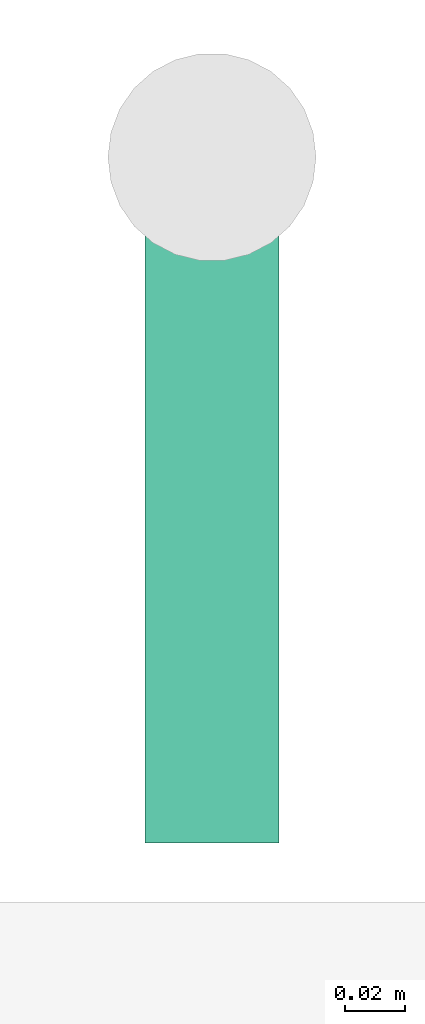
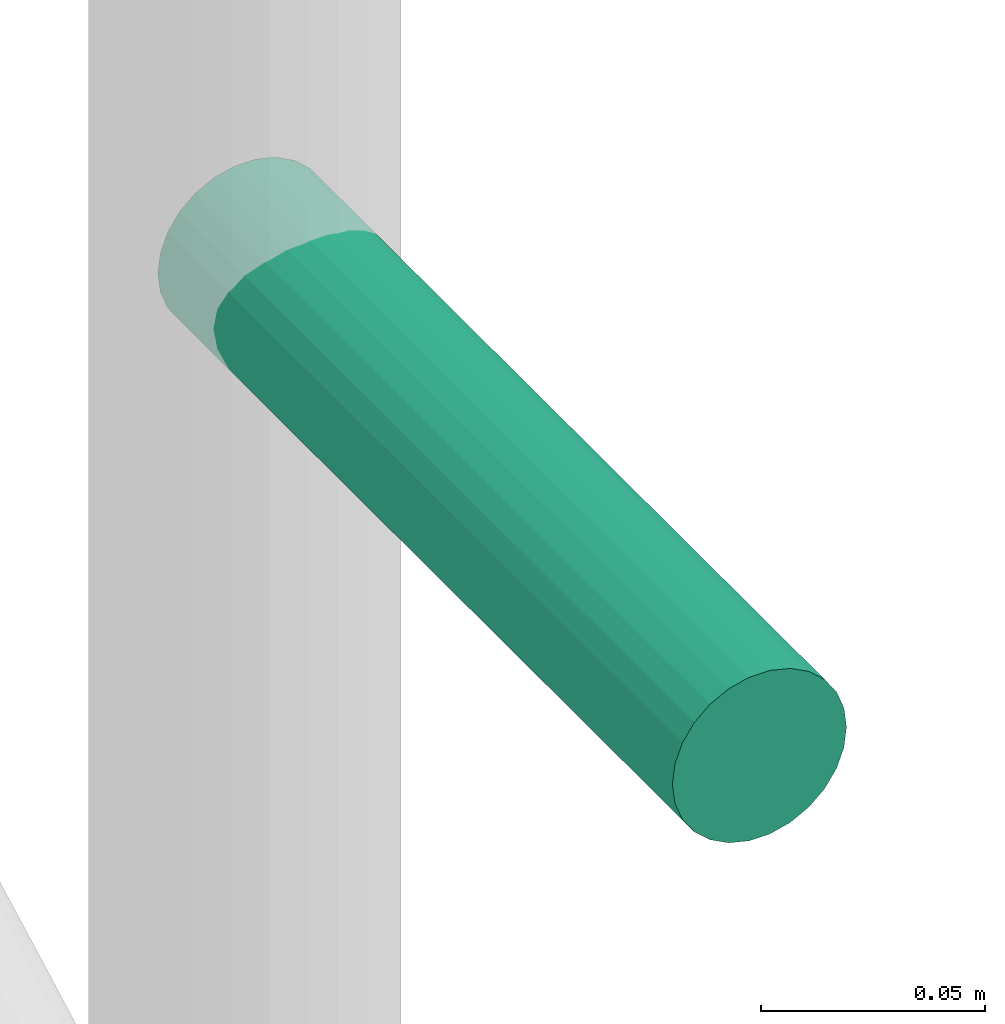
# One storey, part 30 of 33: 1 pipe fitting.
"""IFC4 building model written with IfcOpenShell, lengths in metres."""

import ifcopenshell
import ifcopenshell.guid

model = None  # the IFC model being written
_history = None  # IfcOwnerHistory: only IFC2X3 demands one
_inside = {}  # id of a spatial element -> (the spatial element, [elements in it])
_under = {}  # id of a project, library or spatial element -> (it, [spatial elements below it])
_declared = {}  # id of a project -> (the project, [libraries it declares])
_typed = {}  # id of a type object -> (the type object, [elements of that type])
_made_of = {}  # id of a material, layer set ... -> (it, [elements and type objects made of it])


def new_model(schema):
    """Start an empty IFC model of exactly this schema.

    Asked for "IFC4X3", IfcOpenShell would pick the latest addendum, in which some entities
    have other attributes; the version numbers below select the first issue.
    IFC2X3 requires an IfcOwnerHistory on every rooted entity: one is made here for all.
    """
    global model, _history
    if schema == "IFC4X3":
        model = ifcopenshell.file(schema_version=(4, 3, 0, 0))
    else:
        model = ifcopenshell.file(schema=schema)
    _inside.clear()
    _under.clear()
    _declared.clear()
    _typed.clear()
    _made_of.clear()
    _history = None
    if model.schema == "IFC2X3":
        org = make("IfcOrganization", Name="unknown")
        user = make(
            "IfcPersonAndOrganization",
            ThePerson=make("IfcPerson", FamilyName="unknown"),
            TheOrganization=org,
        )
        app = make(
            "IfcApplication",
            ApplicationDeveloper=org,
            Version="unknown",
            ApplicationFullName="unknown",
            ApplicationIdentifier="unknown",
        )
        _history = make(
            "IfcOwnerHistory",
            OwningUser=user,
            OwningApplication=app,
            ChangeAction="ADDED",
            CreationDate=0,
        )
    return model


def make(cls, **values):
    """One entity of the class cls with the attributes given. An attribute that is None is left unset."""
    return model.create_entity(
        cls, **{name: value for name, value in values.items() if value is not None}
    )


def rooted(cls, **values):
    """An entity with a GlobalId (a new one), such as an element, a storey or a relation."""
    return make(cls, GlobalId=ifcopenshell.guid.new(), OwnerHistory=_history, **values)


def si_unit(unit_type, name, prefix=None):
    """IfcSIUnit, for example si_unit("LENGTHUNIT", "METRE", prefix="MILLI")."""
    return make("IfcSIUnit", UnitType=unit_type, Prefix=prefix, Name=name)


def assignment(units):
    """IfcUnitAssignment: the units of a project."""
    return None if units is None else make("IfcUnitAssignment", Units=units)


def point(xyz):
    """IfcCartesianPoint."""
    return None if xyz is None else make("IfcCartesianPoint", Coordinates=xyz)


def direction(xyz):
    """IfcDirection."""
    return None if xyz is None else make("IfcDirection", DirectionRatios=xyz)


def frame(location, z_axis=None, x_axis=None):
    """IfcAxis2Placement3D, a coordinate frame: its origin and axes. An axis left out is left unset."""
    return make(
        "IfcAxis2Placement3D",
        Location=point(location),
        Axis=direction(z_axis),
        RefDirection=direction(x_axis),
    )


def frame_2d(location, x_axis=None):
    """IfcAxis2Placement2D, a coordinate frame in the plane: its origin and x axis."""
    return make(
        "IfcAxis2Placement2D", Location=point(location), RefDirection=direction(x_axis)
    )


def origin():
    """The frame at (0, 0, 0) with its axes left unset."""
    return frame((0.0, 0.0, 0.0))


def origin_2d():
    """The frame at (0, 0) in the plane with its x axis left unset."""
    return frame_2d((0.0, 0.0))


def place(relative_to, where):
    """IfcLocalPlacement: puts the frame where relative to a parent placement (None: the world)."""
    return make(
        "IfcLocalPlacement", PlacementRelTo=relative_to, RelativePlacement=where
    )


def context(
    kind, dimensions, precision=None, world=None, true_north=None, identifier=None
):
    """IfcGeometricRepresentationContext, for example the 3D "Model" context."""
    return make(
        "IfcGeometricRepresentationContext",
        ContextIdentifier=identifier,
        ContextType=kind,
        CoordinateSpaceDimension=dimensions,
        Precision=precision,
        WorldCoordinateSystem=world,
        TrueNorth=true_north,
    )


def subcontext(parent, identifier, kind, view, scale=None):
    """IfcGeometricRepresentationSubContext, for example "Body" below "Model"."""
    return make(
        "IfcGeometricRepresentationSubContext",
        ContextIdentifier=identifier,
        ContextType=kind,
        ParentContext=parent,
        TargetScale=scale,
        TargetView=view,
    )


def project(units=None, contexts=None):
    """IfcProject with its units and contexts."""
    return rooted(
        "IfcProject",
        Name="project",
        RepresentationContexts=contexts,
        UnitsInContext=assignment(units),
    )


def spatial(cls, under=None, at=None, **own):
    """A site, building, storey or space (cls), placed at a placement, below another one or the project."""
    s = rooted(cls, ObjectPlacement=at, **own)
    if under is not None:
        _under.setdefault(under.id(), (under, []))[1].append(s)
    return s


def profile(cls, at=None, kind="AREA", **sizes):
    """A parametric profile (cls). Its sizes go by their IFC names, for example OverallWidth=200.0."""
    return make(cls, ProfileType=kind, Position=at, **sizes)


def circle(**sizes):
    """IfcCircleProfileDef."""
    return profile("IfcCircleProfileDef", **sizes)


def extrude(swept, where, along, depth):
    """IfcExtrudedAreaSolid: the profile swept, set in the frame where, extruded along a direction by depth."""
    return make(
        "IfcExtrudedAreaSolid",
        SweptArea=swept,
        Position=where,
        ExtrudedDirection=direction(along),
        Depth=depth,
    )


def shape(context_of_items, identifier, shape_type, items):
    """IfcShapeRepresentation: the items that make up one representation, for example the "Body"."""
    return make(
        "IfcShapeRepresentation",
        ContextOfItems=context_of_items,
        RepresentationIdentifier=identifier,
        RepresentationType=shape_type,
        Items=items,
    )


def made_of(thing, what):
    """Note that an element or type object is made of a material, layer set ...; save() writes the relation."""
    if what is not None:
        _made_of.setdefault(what.id(), (what, []))[1].append(thing)
    return thing


def element(
    cls,
    number,
    at=None,
    inside=None,
    cuts=None,
    type_object=None,
    material=None,
    context=None,
    identifier="Body",
    shape_type=None,
    held_by="IfcProductDefinitionShape",
    body=None,
    shapes=None,
    **own,
):
    """One element of the class cls, such as IfcWall. Its Tag is "e" and its number.

    at: its placement. inside: the storey or other place that contains it. cuts: it is an
    opening in that element (IfcRelVoidsElement). A single representation is given by context,
    identifier, shape_type and body (its items); several are given by shapes. held_by: the class
    of the entity that holds the representations. save() writes the other relations.
    """
    e = rooted(cls, Tag="e%d" % number, ObjectPlacement=at, **own)
    if body is not None:
        shapes = [shape(context, identifier, shape_type, body)]
    if shapes is not None:
        e.Representation = make(held_by, Representations=shapes)
    if inside is not None:
        _inside.setdefault(inside.id(), (inside, []))[1].append(e)
    if cuts is not None:
        rooted(
            "IfcRelVoidsElement", RelatingBuildingElement=cuts, RelatedOpeningElement=e
        )
    if type_object is not None:
        _typed.setdefault(type_object.id(), (type_object, []))[1].append(e)
    return made_of(e, material)


def aggregate(whole, parts):
    """IfcRelAggregates: a whole, such as a stair, and the parts it consists of."""
    return rooted("IfcRelAggregates", RelatingObject=whole, RelatedObjects=parts)


def save(model, path):
    """Write the relations noted so far, then the file.

    IfcRelAggregates (storeys below a building ...), IfcRelContainedInSpatialStructure (elements
    in a storey), IfcRelDefinesByType, IfcRelAssociatesMaterial and IfcRelDeclares: one each for
    every whole, place, type object, material and project.
    """
    for whole, parts in _under.values():
        aggregate(whole, parts)
    for where, things in _inside.values():
        rooted(
            "IfcRelContainedInSpatialStructure",
            RelatedElements=things,
            RelatingStructure=where,
        )
    for kind, things in _typed.values():
        rooted("IfcRelDefinesByType", RelatedObjects=things, RelatingType=kind)
    for what, things in _made_of.values():
        rooted("IfcRelAssociatesMaterial", RelatedObjects=things, RelatingMaterial=what)
    for by, libraries in _declared.values():
        rooted("IfcRelDeclares", RelatingContext=by, RelatedDefinitions=libraries)
    model.write(path)


model = new_model("IFC4")

# Units and contexts
model_context = context("Model", 3, precision=1e-05, world=origin(), true_north=direction((0.0, 1.0)))
body_context = subcontext(model_context, "Body", "Model", "MODEL_VIEW")
ifc_project = project(units=[si_unit("LENGTHUNIT", "METRE"), si_unit("AREAUNIT", "SQUARE_METRE"), si_unit("VOLUMEUNIT", "CUBIC_METRE"), si_unit("PLANEANGLEUNIT", "RADIAN"), si_unit("MASSUNIT", "GRAM", prefix="KILO")], contexts=[model_context])

# Site, building, storey
site_placement = place(None, origin())
site = spatial("IfcSite", under=ifc_project, at=site_placement, CompositionType="ELEMENT")
building_placement = place(site_placement, origin())
building = spatial("IfcBuilding", under=site, at=building_placement, Name="Nzadi Deep Aquarium and Research Tower", CompositionType="ELEMENT")
storey_placement = place(building_placement, frame((0.0, 0.0, 6.5)))
storey = spatial("IfcBuildingStorey", under=building, at=storey_placement, Name="L01", CompositionType="ELEMENT", Elevation=6.5)

# Pipe fitting
pipe_fitting_placement = place(storey_placement, frame((2.300048828125, 68.9599609375, 1.10009765625), z_axis=(0.0, -1.0, 0.0), x_axis=(1.0, 0.0, 0.0)))
element("IfcPipeFitting", 1, at=pipe_fitting_placement, inside=storey, Name="Dry riser outlet ST-Z2-W L01", PredefinedType="EXIT", context=body_context, shape_type="SweptSolid", body=[
    extrude(circle(Radius=0.0224609375, at=origin_2d()), origin(), (0.0, 0.0, 1.0), 0.22998046875),
])

save(model, "model.ifc")
